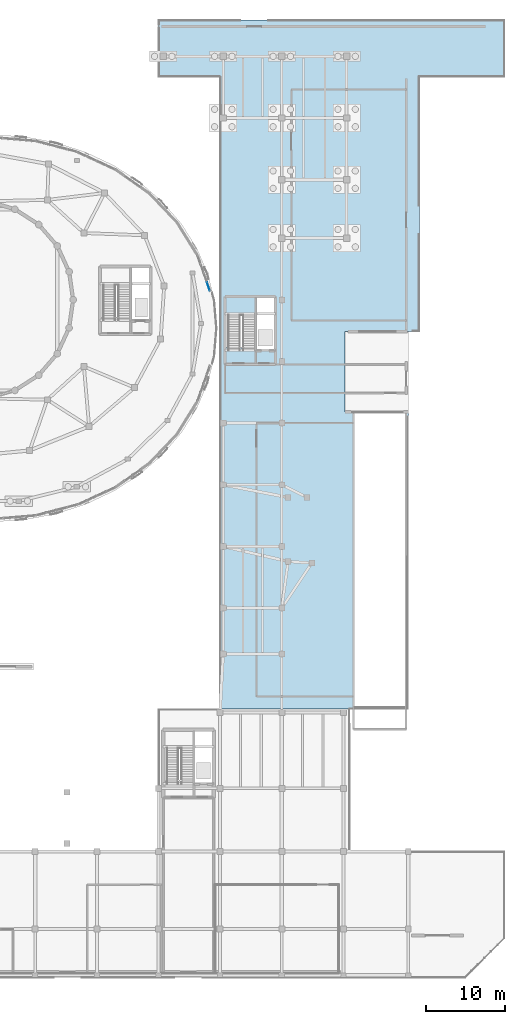
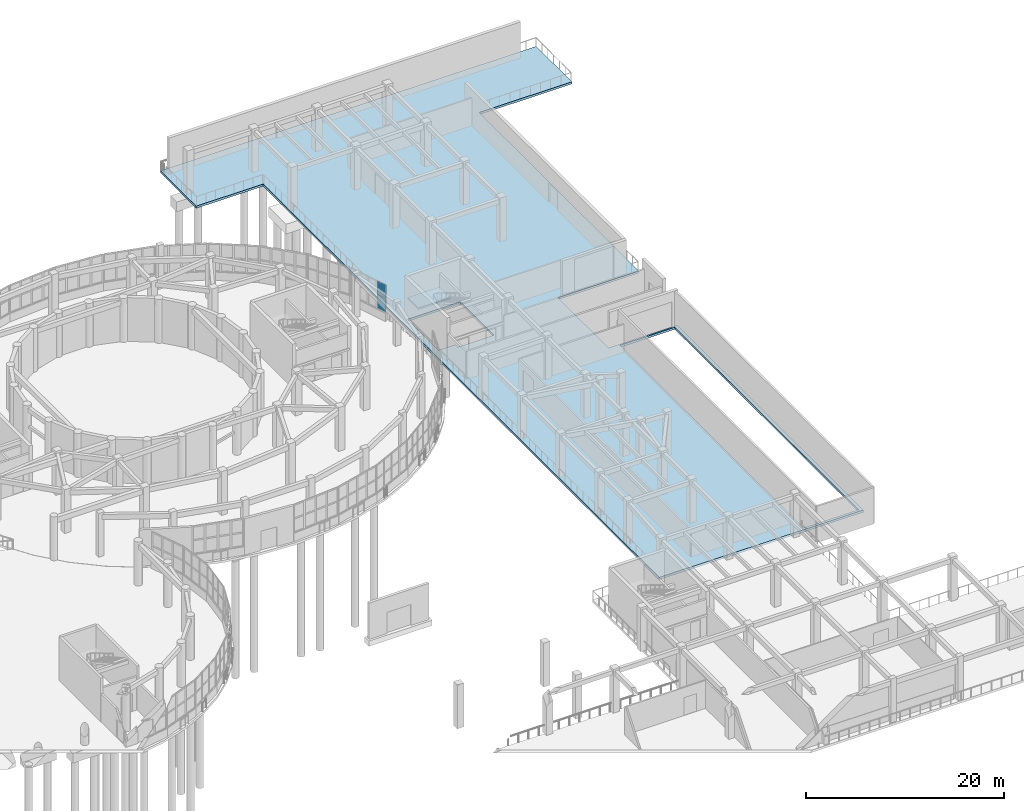
# One storey, part 69 of 96: 2 plates, 2 slabs, 2 elements without a shape of their own.
"""IFC4 building model written with IfcOpenShell, lengths in metres."""

from ifc_helpers import new_model, si_unit, direction, frame, origin, origin_2d, place, context, subcontext, project, spatial, polyline, rectangle, outline, extrude, material, layer, layer_set, type_object, element, aggregate, save


model = new_model("IFC4")

# Units and contexts
model_context = context("Model", 3, precision=1e-05, world=origin(), true_north=direction((0.0, 1.0)))
body_context = subcontext(model_context, "Body", "Model", "MODEL_VIEW")
ifc_project = project(units=[si_unit("LENGTHUNIT", "METRE"), si_unit("AREAUNIT", "SQUARE_METRE"), si_unit("VOLUMEUNIT", "CUBIC_METRE"), si_unit("PLANEANGLEUNIT", "RADIAN"), si_unit("MASSUNIT", "GRAM", prefix="KILO")], contexts=[model_context])

# Site, building, storey
site_placement = place(None, origin())
site = spatial("IfcSite", under=ifc_project, at=site_placement, CompositionType="ELEMENT")
building_placement = place(site_placement, origin())
building = spatial("IfcBuilding", under=site, at=building_placement, Name="Pelvatis Terrace Science Centre", CompositionType="ELEMENT")
storey_placement = place(building_placement, origin())
storey = spatial("IfcBuildingStorey", under=building, at=storey_placement, Name="L00", CompositionType="ELEMENT", Elevation=0.0)

# Curtain wall, plates
ifc_material_1 = material(Name="Bronze-anodised aluminium and laminated glass", Category="aluminium")
ifc_layer_1 = layer(ifc_material_1, 0.199951171875)
ifc_layer_set_1 = layer_set([ifc_layer_1], Name="Bronze-anodised aluminium and laminated glass")
curtain_wall_type = type_object("IfcCurtainWallType", Name="CW-RIBBON-B", PredefinedType="NOTDEFINED", material=ifc_layer_set_1)
curtain_wall_placement = place(storey_placement, origin())
curtain_wall = element("IfcCurtainWall", 1, at=curtain_wall_placement, inside=storey, type_object=curtain_wall_type, Name="Ribbon curtain wall CW-101 (L00)", PredefinedType="NOTDEFINED")
ifc_material_2 = material(Name="Low-e laminated solar-control double glazing", Category="glass")
ifc_layer_2 = layer(ifc_material_2, 0.031982421875)
ifc_layer_set_2 = layer_set([ifc_layer_2], Name="Low-e laminated solar-control double glazing")
plate_type = type_object("IfcPlateType", Name="CWP-IGU-32", PredefinedType="CURTAIN_PANEL", material=ifc_layer_set_2)
plate_1_placement = place(storey_placement, frame((138.906005859375, 87.492919921875, 1.0849609375), z_axis=(0.0, 0.0, 1.0), x_axis=(-0.332308248738, 0.943170837028, 0.0)))
plate_1 = element("IfcPlate", 2, at=plate_1_placement, type_object=plate_type, Name="CW-101 panel 1.1", PredefinedType="CURTAIN_PANEL", context=body_context, shape_type="SweptSolid", body=[
    extrude(rectangle(XDim=1.103271484375, YDim=0.031982421875, at=origin_2d()), origin(), (0.0, 0.0, 1.0), 1.62255859375),
])
plate_2_placement = place(storey_placement, frame((138.906005859375, 87.492919921875, 2.7724609375), z_axis=(0.0, 0.0, 1.0), x_axis=(-0.332308248738, 0.943170837028, 0.0)))
plate_2 = element("IfcPlate", 3, at=plate_2_placement, type_object=plate_type, Name="CW-101 panel 1.2", PredefinedType="CURTAIN_PANEL", context=body_context, shape_type="SweptSolid", body=[
    extrude(rectangle(XDim=1.103271484375, YDim=0.031982421875, at=origin_2d()), origin(), (0.0, 0.0, 1.0), 1.62255859375),
])
aggregate(curtain_wall, [plate_1, plate_2])

# Slab
ifc_material_3 = material(Name="Concrete C35/45", Category="concrete")
ifc_layer_3 = layer(ifc_material_3, 0.27197265625)
ifc_layer_set_3 = layer_set([ifc_layer_3], Name="Concrete C35/45")
slab_type_1 = type_object("IfcSlabType", Name="SLB-FLR-272", PredefinedType="FLOOR", material=ifc_layer_set_3)
slab_1_placement = place(storey_placement, frame((0.0, 0.0, -0.27197265625)))
element("IfcSlab", 4, at=slab_1_placement, inside=storey, type_object=slab_type_1, Name="L00 East colonnade and laboratory ground slab", PredefinedType="FLOOR", context=body_context, shape_type="SweptSolid", body=[
    extrude(outline(polyline([(132.60009765625, 114.0), (132.60009765625, 121.199951171875), (176.39990234375, 121.199951171875), (176.39990234375, 114.0), (165.60009765625, 114.0), (165.60009765625, 81.800048828125), (156.18017578125, 81.802001953125), (156.1845703125, 71.58740234375), (164.199951171875, 71.580078125), (164.199951171875, 34.0), (140.39990234375, 34.02001953125), (140.39990234375, 114.0), (132.60009765625, 114.0)]), holes=[polyline([(157.39990234375, 34.300048828125), (163.800048828125, 34.300048828125), (163.800048828125, 71.39990234375), (157.39990234375, 71.39990234375), (157.39990234375, 34.300048828125)]), polyline([(141.1201171875, 79.820068359375), (143.080078125, 79.820068359375), (143.080078125, 79.320068359375), (147.280029296875, 79.320068359375), (147.280029296875, 86.080078125), (141.1201171875, 86.080078125), (141.1201171875, 79.820068359375)])]), origin(), (0.0, 0.0, 1.0), 0.27197265625),
])

# Stair, slab
ifc_material_4 = material(Name="Concrete C35/45", Category="concrete")
stair_type = type_object("IfcStairType", Name="STR-2RUN-1500-54", PredefinedType="TWO_STRAIGHT_RUN_STAIR", material=ifc_material_4)
stair_placement = place(storey_placement, origin())
stair = element("IfcStair", 5, at=stair_placement, inside=storey, type_object=stair_type, Name="Protected core stair ST-03-L00", PredefinedType="TWO_STRAIGHT_RUN_STAIR")
ifc_material_5 = material(Name="Concrete C35/45", Category="concrete")
ifc_layer_4 = layer(ifc_material_5, 0.199951171875)
ifc_layer_set_4 = layer_set([ifc_layer_4], Name="Concrete C35/45")
slab_type_2 = type_object("IfcSlabType", Name="SLB-LND-200", PredefinedType="LANDING", material=ifc_layer_set_4)
slab_2_placement = place(storey_placement, frame((0.0, 0.0, 2.5)))
slab_2 = element("IfcSlab", 6, at=slab_2_placement, type_object=slab_type_2, Name="ST-03-L00 landing 1", PredefinedType="LANDING", context=body_context, shape_type="SweptSolid", body=[
    extrude(outline(polyline([(141.1298828125, 83.89990234375), (144.85009765625, 83.89990234375), (144.85009765625, 86.070068359375), (141.1298828125, 86.070068359375), (141.1298828125, 83.89990234375)])), origin(), (0.0, 0.0, 1.0), 0.199951171875),
])
aggregate(stair, [slab_2])

save(model, "model.ifc")
